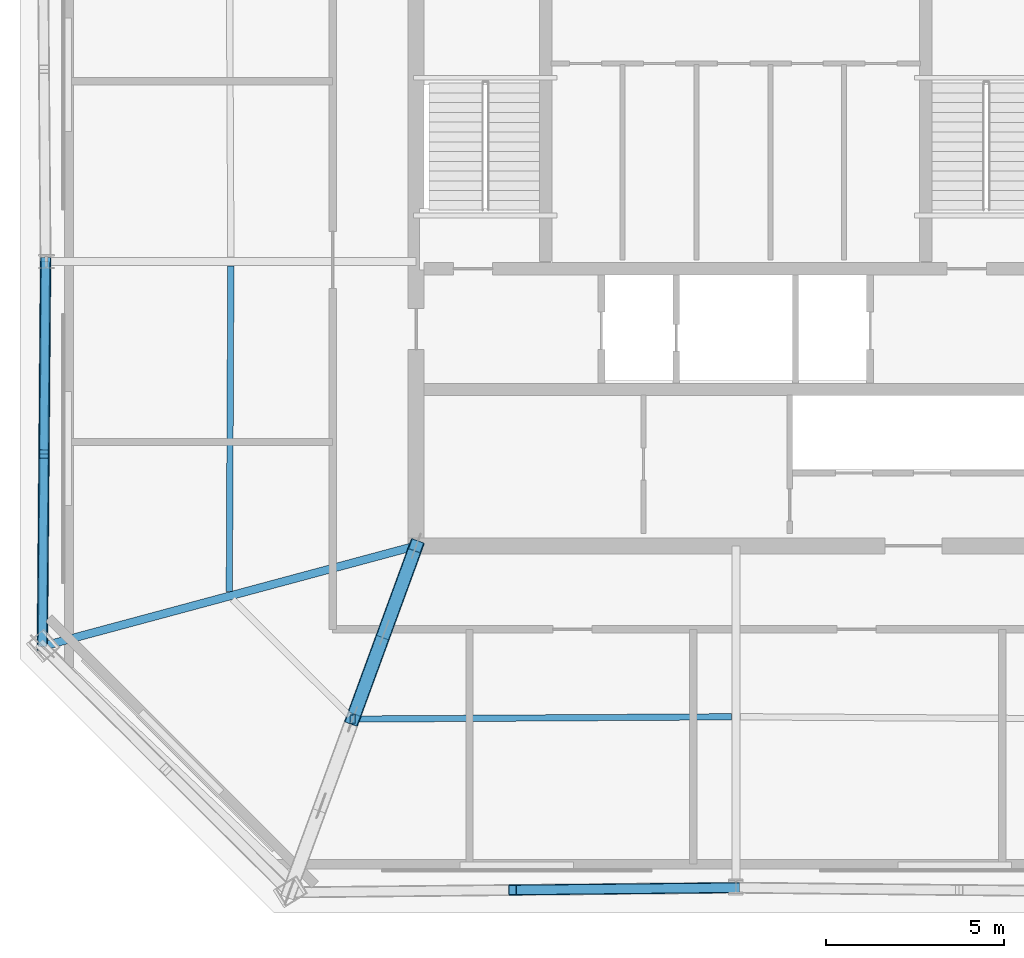
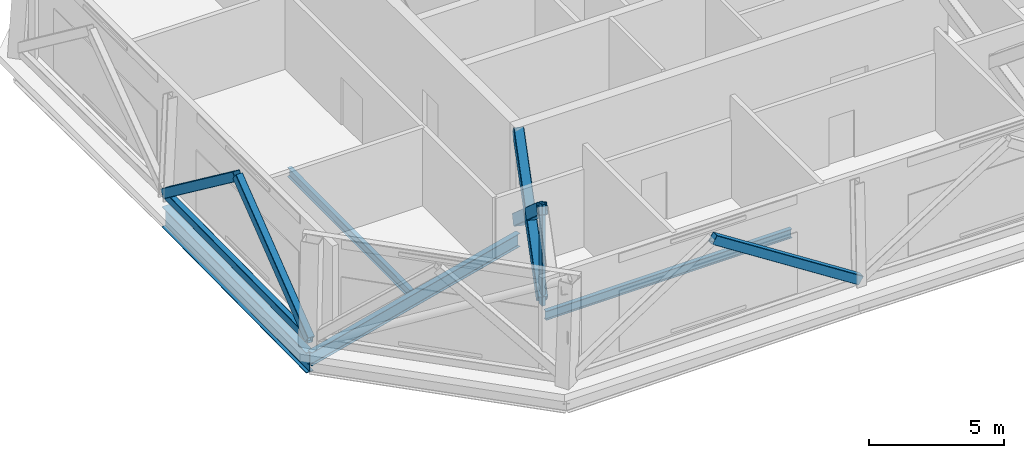
# One storey, part 2 of 10: 8 members, 4 beams.
"""IFC4 building model written with IfcOpenShell, lengths in metres."""

import ifcopenshell
import ifcopenshell.guid

model = None  # the IFC model being written
_history = None  # IfcOwnerHistory: only IFC2X3 demands one
_inside = {}  # id of a spatial element -> (the spatial element, [elements in it])
_under = {}  # id of a project, library or spatial element -> (it, [spatial elements below it])
_declared = {}  # id of a project -> (the project, [libraries it declares])
_typed = {}  # id of a type object -> (the type object, [elements of that type])
_made_of = {}  # id of a material, layer set ... -> (it, [elements and type objects made of it])


def new_model(schema):
    """Start an empty IFC model of exactly this schema.

    Asked for "IFC4X3", IfcOpenShell would pick the latest addendum, in which some entities
    have other attributes; the version numbers below select the first issue.
    IFC2X3 requires an IfcOwnerHistory on every rooted entity: one is made here for all.
    """
    global model, _history
    if schema == "IFC4X3":
        model = ifcopenshell.file(schema_version=(4, 3, 0, 0))
    else:
        model = ifcopenshell.file(schema=schema)
    _inside.clear()
    _under.clear()
    _declared.clear()
    _typed.clear()
    _made_of.clear()
    _history = None
    if model.schema == "IFC2X3":
        org = make("IfcOrganization", Name="unknown")
        user = make(
            "IfcPersonAndOrganization",
            ThePerson=make("IfcPerson", FamilyName="unknown"),
            TheOrganization=org,
        )
        app = make(
            "IfcApplication",
            ApplicationDeveloper=org,
            Version="unknown",
            ApplicationFullName="unknown",
            ApplicationIdentifier="unknown",
        )
        _history = make(
            "IfcOwnerHistory",
            OwningUser=user,
            OwningApplication=app,
            ChangeAction="ADDED",
            CreationDate=0,
        )
    return model


def make(cls, **values):
    """One entity of the class cls with the attributes given. An attribute that is None is left unset."""
    return model.create_entity(
        cls, **{name: value for name, value in values.items() if value is not None}
    )


def rooted(cls, **values):
    """An entity with a GlobalId (a new one), such as an element, a storey or a relation."""
    return make(cls, GlobalId=ifcopenshell.guid.new(), OwnerHistory=_history, **values)


def si_unit(unit_type, name, prefix=None):
    """IfcSIUnit, for example si_unit("LENGTHUNIT", "METRE", prefix="MILLI")."""
    return make("IfcSIUnit", UnitType=unit_type, Prefix=prefix, Name=name)


def assignment(units):
    """IfcUnitAssignment: the units of a project."""
    return None if units is None else make("IfcUnitAssignment", Units=units)


def point(xyz):
    """IfcCartesianPoint."""
    return None if xyz is None else make("IfcCartesianPoint", Coordinates=xyz)


def direction(xyz):
    """IfcDirection."""
    return None if xyz is None else make("IfcDirection", DirectionRatios=xyz)


def frame(location, z_axis=None, x_axis=None):
    """IfcAxis2Placement3D, a coordinate frame: its origin and axes. An axis left out is left unset."""
    return make(
        "IfcAxis2Placement3D",
        Location=point(location),
        Axis=direction(z_axis),
        RefDirection=direction(x_axis),
    )


def frame_2d(location, x_axis=None):
    """IfcAxis2Placement2D, a coordinate frame in the plane: its origin and x axis."""
    return make(
        "IfcAxis2Placement2D", Location=point(location), RefDirection=direction(x_axis)
    )


def origin():
    """The frame at (0, 0, 0) with its axes left unset."""
    return frame((0.0, 0.0, 0.0))


def origin_2d():
    """The frame at (0, 0) in the plane with its x axis left unset."""
    return frame_2d((0.0, 0.0))


def place(relative_to, where):
    """IfcLocalPlacement: puts the frame where relative to a parent placement (None: the world)."""
    return make(
        "IfcLocalPlacement", PlacementRelTo=relative_to, RelativePlacement=where
    )


def context(
    kind, dimensions, precision=None, world=None, true_north=None, identifier=None
):
    """IfcGeometricRepresentationContext, for example the 3D "Model" context."""
    return make(
        "IfcGeometricRepresentationContext",
        ContextIdentifier=identifier,
        ContextType=kind,
        CoordinateSpaceDimension=dimensions,
        Precision=precision,
        WorldCoordinateSystem=world,
        TrueNorth=true_north,
    )


def subcontext(parent, identifier, kind, view, scale=None):
    """IfcGeometricRepresentationSubContext, for example "Body" below "Model"."""
    return make(
        "IfcGeometricRepresentationSubContext",
        ContextIdentifier=identifier,
        ContextType=kind,
        ParentContext=parent,
        TargetScale=scale,
        TargetView=view,
    )


def project(units=None, contexts=None):
    """IfcProject with its units and contexts."""
    return rooted(
        "IfcProject",
        Name="project",
        RepresentationContexts=contexts,
        UnitsInContext=assignment(units),
    )


def spatial(cls, under=None, at=None, **own):
    """A site, building, storey or space (cls), placed at a placement, below another one or the project."""
    s = rooted(cls, ObjectPlacement=at, **own)
    if under is not None:
        _under.setdefault(under.id(), (under, []))[1].append(s)
    return s


def profile(cls, at=None, kind="AREA", **sizes):
    """A parametric profile (cls). Its sizes go by their IFC names, for example OverallWidth=200.0."""
    return make(cls, ProfileType=kind, Position=at, **sizes)


def hollow_rectangle(**sizes):
    """IfcRectangleHollowProfileDef."""
    return profile("IfcRectangleHollowProfileDef", **sizes)


def i_section(**sizes):
    """IfcIShapeProfileDef."""
    return profile("IfcIShapeProfileDef", **sizes)


def extrude(swept, where, along, depth):
    """IfcExtrudedAreaSolid: the profile swept, set in the frame where, extruded along a direction by depth."""
    return make(
        "IfcExtrudedAreaSolid",
        SweptArea=swept,
        Position=where,
        ExtrudedDirection=direction(along),
        Depth=depth,
    )


def shape(context_of_items, identifier, shape_type, items):
    """IfcShapeRepresentation: the items that make up one representation, for example the "Body"."""
    return make(
        "IfcShapeRepresentation",
        ContextOfItems=context_of_items,
        RepresentationIdentifier=identifier,
        RepresentationType=shape_type,
        Items=items,
    )


def material(Name=None, Category=None):
    """IfcMaterial."""
    return make("IfcMaterial", Name=Name, Category=Category)


def material_profile(
    of_material, cross_section, Name=None, Category=None, Priority=None
):
    """IfcMaterialProfile: a cross section and its material."""
    return make(
        "IfcMaterialProfile",
        Name=Name,
        Material=of_material,
        Profile=cross_section,
        Priority=Priority,
        Category=Category,
    )


def profile_set(profiles, Name=None, composite=None):
    """IfcMaterialProfileSet."""
    return make(
        "IfcMaterialProfileSet",
        Name=Name,
        MaterialProfiles=profiles,
        CompositeProfile=composite,
    )


def made_of(thing, what):
    """Note that an element or type object is made of a material, layer set ...; save() writes the relation."""
    if what is not None:
        _made_of.setdefault(what.id(), (what, []))[1].append(thing)
    return thing


def type_object(cls, material=None, **own):
    """A type object (cls), such as IfcWallType, which elements share."""
    return made_of(rooted(cls, **own), material)


def element(
    cls,
    number,
    at=None,
    inside=None,
    cuts=None,
    type_object=None,
    material=None,
    context=None,
    identifier="Body",
    shape_type=None,
    held_by="IfcProductDefinitionShape",
    body=None,
    shapes=None,
    **own,
):
    """One element of the class cls, such as IfcWall. Its Tag is "e" and its number.

    at: its placement. inside: the storey or other place that contains it. cuts: it is an
    opening in that element (IfcRelVoidsElement). A single representation is given by context,
    identifier, shape_type and body (its items); several are given by shapes. held_by: the class
    of the entity that holds the representations. save() writes the other relations.
    """
    e = rooted(cls, Tag="e%d" % number, ObjectPlacement=at, **own)
    if body is not None:
        shapes = [shape(context, identifier, shape_type, body)]
    if shapes is not None:
        e.Representation = make(held_by, Representations=shapes)
    if inside is not None:
        _inside.setdefault(inside.id(), (inside, []))[1].append(e)
    if cuts is not None:
        rooted(
            "IfcRelVoidsElement", RelatingBuildingElement=cuts, RelatedOpeningElement=e
        )
    if type_object is not None:
        _typed.setdefault(type_object.id(), (type_object, []))[1].append(e)
    return made_of(e, material)


def aggregate(whole, parts):
    """IfcRelAggregates: a whole, such as a stair, and the parts it consists of."""
    return rooted("IfcRelAggregates", RelatingObject=whole, RelatedObjects=parts)


def save(model, path):
    """Write the relations noted so far, then the file.

    IfcRelAggregates (storeys below a building ...), IfcRelContainedInSpatialStructure (elements
    in a storey), IfcRelDefinesByType, IfcRelAssociatesMaterial and IfcRelDeclares: one each for
    every whole, place, type object, material and project.
    """
    for whole, parts in _under.values():
        aggregate(whole, parts)
    for where, things in _inside.values():
        rooted(
            "IfcRelContainedInSpatialStructure",
            RelatedElements=things,
            RelatingStructure=where,
        )
    for kind, things in _typed.values():
        rooted("IfcRelDefinesByType", RelatedObjects=things, RelatingType=kind)
    for what, things in _made_of.values():
        rooted("IfcRelAssociatesMaterial", RelatedObjects=things, RelatingMaterial=what)
    for by, libraries in _declared.values():
        rooted("IfcRelDeclares", RelatingContext=by, RelatedDefinitions=libraries)
    model.write(path)


model = new_model("IFC4")

# Units and contexts
model_context = context("Model", 3, precision=1e-05, world=origin(), true_north=direction((0.0, 1.0)))
body_context = subcontext(model_context, "Body", "Model", "MODEL_VIEW")
ifc_project = project(units=[si_unit("LENGTHUNIT", "METRE"), si_unit("AREAUNIT", "SQUARE_METRE"), si_unit("VOLUMEUNIT", "CUBIC_METRE"), si_unit("PLANEANGLEUNIT", "RADIAN"), si_unit("MASSUNIT", "GRAM", prefix="KILO")], contexts=[model_context])

# Site, building, storey
site_placement = place(None, origin())
site = spatial("IfcSite", under=ifc_project, at=site_placement, CompositionType="ELEMENT")
building_placement = place(site_placement, origin())
building = spatial("IfcBuilding", under=site, at=building_placement, Name="Caelvoria Tower", CompositionType="ELEMENT")
storey_placement = place(building_placement, frame((0.0, 0.0, 234.60009765625)))
storey = spatial("IfcBuildingStorey", under=building, at=storey_placement, Name="L62", CompositionType="ELEMENT", Elevation=234.60009765625)

# Members
ifc_material_1 = material(Name="Structural Steel ASTM A572 Gr.50", Category="steel")
ifc_material_profile_1 = material_profile(ifc_material_1, hollow_rectangle(XDim=0.25, YDim=0.35009765625, WallThickness=0.013916015625, InnerFilletRadius=0.013916015625, OuterFilletRadius=0.028076171875, at=origin_2d()), Name="Structural Steel ASTM A572 Gr.50")
ifc_profile_set_1 = profile_set([ifc_material_profile_1], Name="HSS350X250X14 - Structural Steel ASTM A572 Gr.50")
member_type_1 = type_object("IfcMemberType", Name="Belt Truss Chord Member HSS350X250X14", PredefinedType="CHORD", material=ifc_profile_set_1)
member_1_placement = place(storey_placement, frame((26.5654296875, 32.0, 0.25), z_axis=(-0.008338677847, -0.999965232621, 0.0), x_axis=(0.999965232621, -0.008338677847, 0.0)))
element("IfcMember", 1, at=member_1_placement, inside=storey, type_object=member_type_1, Name="Belt Truss Bottom Chord L62-10", PredefinedType="CHORD", context=body_context, shape_type="SweptSolid", body=[
    extrude(hollow_rectangle(XDim=0.25, YDim=0.35009765625, WallThickness=0.013916015625, InnerFilletRadius=0.013916015625, OuterFilletRadius=0.028076171875, at=origin_2d()), origin(), (0.0, 0.0, 1.0), 10.8330078125),
])
ifc_material_profile_2 = material_profile(ifc_material_1, hollow_rectangle(XDim=0.300048828125, YDim=0.39990234375, WallThickness=0.01611328125, InnerFilletRadius=0.01611328125, OuterFilletRadius=0.031982421875, at=origin_2d()), Name="Structural Steel ASTM A572 Gr.50")
ifc_profile_set_2 = profile_set([ifc_material_profile_2], Name="HSS400X300X16 - Structural Steel ASTM A572 Gr.50")
member_type_2 = type_object("IfcMemberType", Name="Belt Truss Diagonal HSS400X300X16", PredefinedType="BRACE", material=ifc_profile_set_2)
member_2_placement = place(storey_placement, frame((39.712646484375, 14.308349609375, 4.324951171875), z_axis=(0.83913156162, 0.008830219904, -0.543856828136), x_axis=(-0.010522463275, 0.999944637351, 0.0)))
element("IfcMember", 2, at=member_2_placement, inside=storey, type_object=member_type_2, Name="Belt Truss Diagonal L62-00B", PredefinedType="BRACE", context=body_context, shape_type="SweptSolid", body=[
    extrude(hollow_rectangle(XDim=0.300048828125, YDim=0.39990234375, WallThickness=0.01611328125, InnerFilletRadius=0.01611328125, OuterFilletRadius=0.031982421875, at=origin_2d()), origin(), (0.0, 0.0, 1.0), 7.49267578125),
])
for number, where, z_axis, x_axis, name in (
    (3, (26.5654296875, 32.0, 0.25), (-0.006663485519, -0.799077979726, 0.601190469218), (0.999965232621, -0.008338677847, 0.0), "Belt Truss Diagonal L62-10A"),
    (4, (26.520263671875, 26.583740234375, 4.324951171875), (-0.006663485519, -0.799077979726, -0.601190469218), (0.999965232621, -0.008338677847, 0.0), "Belt Truss Diagonal L62-10B"),
):
    element("IfcMember", number, at=place(storey_placement, frame(where, z_axis=z_axis, x_axis=x_axis)), inside=storey, type_object=member_type_2, Name=name, PredefinedType="BRACE", context=body_context, shape_type="SweptSolid", body=[
        extrude(hollow_rectangle(XDim=0.300048828125, YDim=0.39990234375, WallThickness=0.01611328125, InnerFilletRadius=0.01611328125, OuterFilletRadius=0.031982421875, at=origin_2d()), origin(), (0.0, 0.0, 1.0), 6.778076171875),
    ])
ifc_material_profile_3 = material_profile(ifc_material_1, hollow_rectangle(XDim=0.39990234375, YDim=0.5, WallThickness=0.02197265625, InnerFilletRadius=0.02197265625, OuterFilletRadius=0.0439453125, at=origin_2d()), Name="Structural Steel ASTM A572 Gr.50")
ifc_profile_set_3 = profile_set([ifc_material_profile_3], Name="HSS500X400X22 - Structural Steel ASTM A572 Gr.50")
member_type_3 = type_object("IfcMemberType", Name="Outrigger Diagonal HSS500X400X22", PredefinedType="BRACE", material=ifc_profile_set_3)
member_3_placement = place(storey_placement, frame((37.0, 24.0, 0.25), z_axis=(-0.270675754431, -0.738858663645, 0.617108184292), x_axis=(0.93897448414, -0.343986799359, 0.0)))
element("IfcMember", 5, at=member_3_placement, inside=storey, type_object=member_type_3, Name="Outrigger Truss Diagonal L62-SW-1A", PredefinedType="BRACE", context=body_context, shape_type="SweptSolid", body=[
    extrude(hollow_rectangle(XDim=0.39990234375, YDim=0.5, WallThickness=0.02197265625, InnerFilletRadius=0.02197265625, OuterFilletRadius=0.0439453125, at=origin_2d()), origin(), (0.0, 0.0, 1.0), 6.603271484375),
])
member_4_placement = place(storey_placement, frame((37.0, 24.0, 4.324951171875), z_axis=(-0.270703841243, -0.738834411826, -0.61712490003), x_axis=(0.938959307136, -0.344028224922, 0.0)))
element("IfcMember", 6, at=member_4_placement, inside=storey, type_object=member_type_3, Name="Outrigger Truss Diagonal L62-SW-1B1", PredefinedType="BRACE", context=body_context, shape_type="SweptSolid", body=[
    extrude(hollow_rectangle(XDim=0.39990234375, YDim=0.5, WallThickness=0.02197265625, InnerFilletRadius=0.02197265625, OuterFilletRadius=0.0439453125, at=origin_2d()), origin(), (0.0, 0.0, 1.0), 3.3017578125),
])
member_5_placement = place(storey_placement, frame((36.106201171875, 21.560546875, 2.287353515625), z_axis=(-0.270647665326, -0.738882915831, -0.617091466434), x_axis=(0.938989659808, -0.343945371787, 0.0)))
element("IfcMember", 7, at=member_5_placement, inside=storey, type_object=member_type_3, Name="Outrigger Truss Diagonal L62-SW-1B2", PredefinedType="BRACE", context=body_context, shape_type="SweptSolid", body=[
    extrude(hollow_rectangle(XDim=0.39990234375, YDim=0.5, WallThickness=0.02197265625, InnerFilletRadius=0.02197265625, OuterFilletRadius=0.0439453125, at=origin_2d()), origin(), (0.0, 0.0, 1.0), 3.301513671875),
])

# Beams
ifc_material_2 = material(Name="Structural Steel ASTM A992 Gr.50", Category="steel")
ifc_material_profile_4 = material_profile(ifc_material_2, i_section(OverallWidth=0.30810546875, OverallDepth=0.927001953125, WebThickness=0.019287109375, FlangeThickness=0.031982421875, FilletRadius=0.02392578125, at=origin_2d()), Name="Structural Steel ASTM A992 Gr.50")
ifc_profile_set_4 = profile_set([ifc_material_profile_4], Name="W920X289 - Structural Steel ASTM A992 Gr.50")
beam_type_1 = type_object("IfcBeamType", Name="Outrigger Tie Girder W920X289", PredefinedType="BEAM", material=ifc_profile_set_4)
beam_1_placement = place(storey_placement, frame((26.5654296875, 32.0, -0.78369140625), z_axis=(-0.008338677847, -0.999965232621, 0.0), x_axis=(0.999965232621, -0.008338677847, 0.0)))
element("IfcBeam", 8, at=beam_1_placement, inside=storey, type_object=beam_type_1, Name="Perimeter Spandrel Girder L62-10", PredefinedType="BEAM", context=body_context, shape_type="SweptSolid", body=[
    extrude(i_section(OverallWidth=0.30810546875, OverallDepth=0.927001953125, WebThickness=0.019287109375, FlangeThickness=0.031982421875, FilletRadius=0.02392578125, at=origin_2d()), origin(), (0.0, 0.0, 1.0), 10.8330078125),
])
ifc_material_profile_5 = material_profile(ifc_material_2, i_section(OverallWidth=0.22802734375, OverallDepth=0.60302734375, WebThickness=0.010498046875, FlangeThickness=0.014892578125, FilletRadius=0.01806640625, at=origin_2d()), Name="Structural Steel ASTM A992 Gr.50")
ifc_profile_set_5 = profile_set([ifc_material_profile_5], Name="W610X101 - Structural Steel ASTM A992 Gr.50")
beam_type_2 = type_object("IfcBeamType", Name="Primary Floor Girder W610X101", PredefinedType="BEAM", material=ifc_profile_set_5)
beam_2_placement = place(storey_placement, frame((37.0, 24.0, -0.62158203125), z_axis=(-0.965641273819, -0.259878683805, 0.0), x_axis=(0.259878683805, -0.965641273819, 0.0)))
element("IfcBeam", 9, at=beam_2_placement, inside=storey, type_object=beam_type_2, Name="Primary Floor Girder L62-11", PredefinedType="BEAM", context=body_context, shape_type="SweptSolid", body=[
    extrude(i_section(OverallWidth=0.22802734375, OverallDepth=0.60302734375, WebThickness=0.010498046875, FlangeThickness=0.014892578125, FilletRadius=0.01806640625, at=origin_2d()), origin(), (0.0, 0.0, 1.0), 10.8994140625),
])
ifc_material_profile_6 = material_profile(ifc_material_2, i_section(OverallWidth=0.177978515625, OverallDepth=0.406982421875, WebThickness=0.0078125, FlangeThickness=0.0126953125, FilletRadius=0.013916015625, at=origin_2d()), Name="Structural Steel ASTM A992 Gr.50")
ifc_profile_set_6 = profile_set([ifc_material_profile_6], Name="W410X60 - Structural Steel ASTM A992 Gr.50")
beam_type_3 = type_object("IfcBeamType", Name="Secondary Floor Beam W410X60", PredefinedType="BEAM", material=ifc_profile_set_6)
beam_3_placement = place(storey_placement, frame((35.337646484375, 19.121826171875, -0.523681640625), z_axis=(0.999981293925, 0.006116518653, 0.0), x_axis=(-0.006116518653, 0.999981293925, 0.0)))
element("IfcBeam", 10, at=beam_3_placement, inside=storey, type_object=beam_type_3, Name="Secondary Floor Beam L62-00", PredefinedType="BEAM", context=body_context, shape_type="SweptSolid", body=[
    extrude(i_section(OverallWidth=0.177978515625, OverallDepth=0.406982421875, WebThickness=0.0078125, FlangeThickness=0.0126953125, FilletRadius=0.013916015625, at=origin_2d()), origin(), (0.0, 0.0, 1.0), 10.53759765625),
])
beam_4_placement = place(storey_placement, frame((31.7822265625, 31.875, -0.523681640625), z_axis=(-0.004820825589, -0.999988379753, 0.0), x_axis=(0.999988379753, -0.004820825589, 0.0)))
element("IfcBeam", 11, at=beam_4_placement, inside=storey, type_object=beam_type_3, Name="Secondary Floor Beam L62-10", PredefinedType="BEAM", context=body_context, shape_type="SweptSolid", body=[
    extrude(i_section(OverallWidth=0.177978515625, OverallDepth=0.406982421875, WebThickness=0.0078125, FlangeThickness=0.0126953125, FilletRadius=0.013916015625, at=origin_2d()), origin(), (0.0, 0.0, 1.0), 9.166259765625),
])

# Member
ifc_material_profile_7 = material_profile(ifc_material_1, hollow_rectangle(XDim=0.14990234375, YDim=0.25, WallThickness=0.010009765625, InnerFilletRadius=0.010009765625, OuterFilletRadius=0.02001953125, at=origin_2d()), Name="Structural Steel ASTM A572 Gr.50")
ifc_profile_set_7 = profile_set([ifc_material_profile_7], Name="HSS250X150X10 - Structural Steel ASTM A572 Gr.50")
member_type_4 = type_object("IfcMemberType", Name="Sky Pool Truss Post HSS250X150X10", PredefinedType="POST", material=ifc_profile_set_7)
member_6_placement = place(storey_placement, frame((35.212646484375, 19.12109375, 0.0), z_axis=(0.0, 0.0, 1.0), x_axis=(1.0, 0.0, 0.0)))
element("IfcMember", 12, at=member_6_placement, inside=storey, type_object=member_type_4, Name="Outrigger Mid-Panel Post L62-SW", PredefinedType="POST", context=body_context, shape_type="SweptSolid", body=[
    extrude(hollow_rectangle(XDim=0.14990234375, YDim=0.25, WallThickness=0.010009765625, InnerFilletRadius=0.010009765625, OuterFilletRadius=0.02001953125, at=origin_2d()), origin(), (0.0, 0.0, 1.0), 4.574951171875),
])

save(model, "model.ifc")
